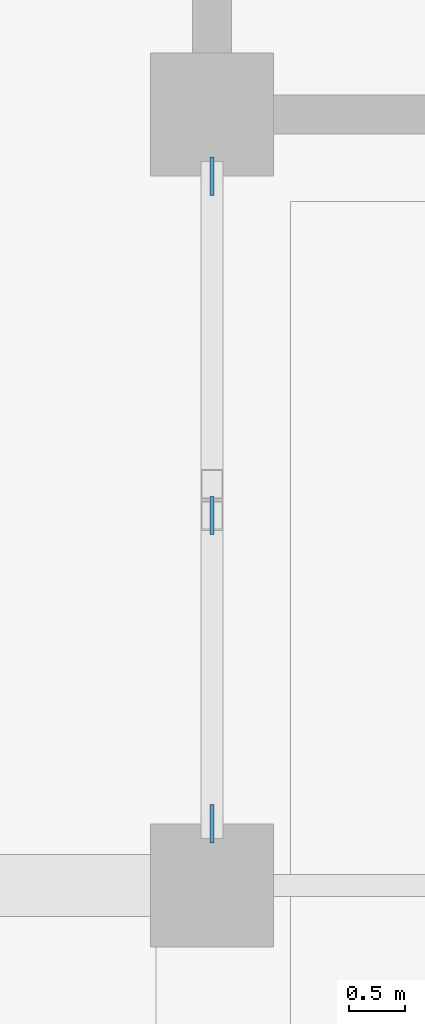
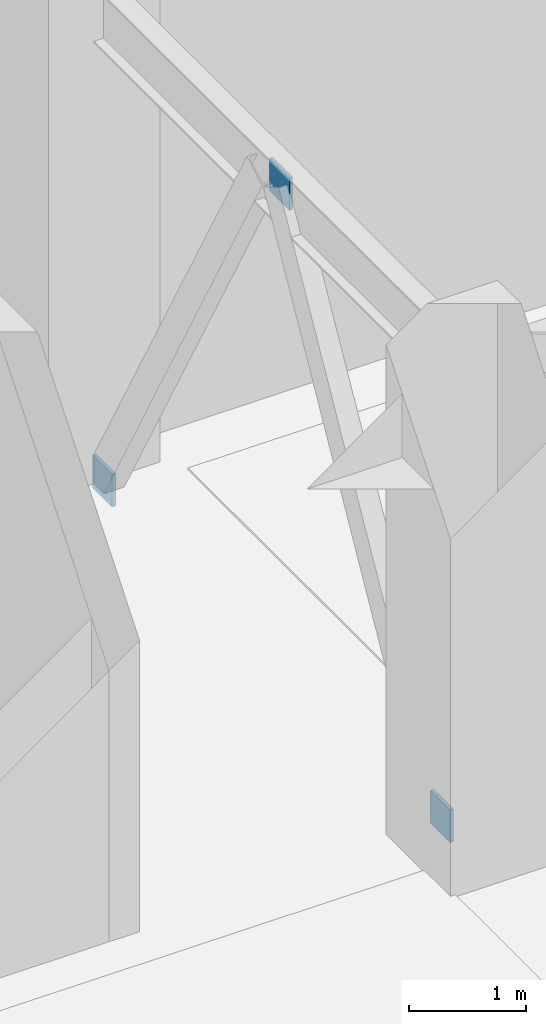
# One storey, part 83 of 117: 3 plates.
"""IFC4 building model written with IfcOpenShell, lengths in metres."""

from ifc_helpers import new_model, si_unit, direction, frame, origin, origin_2d, place, context, subcontext, project, spatial, rectangle, extrude, material, layer, layer_set, type_object, element, save


model = new_model("IFC4")

# Units and contexts
model_context = context("Model", 3, precision=1e-05, world=origin(), true_north=direction((0.0, 1.0)))
body_context = subcontext(model_context, "Body", "Model", "MODEL_VIEW")
ifc_project = project(units=[si_unit("LENGTHUNIT", "METRE"), si_unit("AREAUNIT", "SQUARE_METRE"), si_unit("VOLUMEUNIT", "CUBIC_METRE"), si_unit("PLANEANGLEUNIT", "RADIAN"), si_unit("MASSUNIT", "GRAM", prefix="KILO")], contexts=[model_context])

# Site, building, storey
site_placement = place(None, origin())
site = spatial("IfcSite", under=ifc_project, at=site_placement, CompositionType="ELEMENT")
building_placement = place(site_placement, origin())
building = spatial("IfcBuilding", under=site, at=building_placement, Name="Linyun Crest Stadium", CompositionType="ELEMENT")
storey_placement = place(building_placement, frame((0.0, 0.0, 6.0)))
storey = spatial("IfcBuildingStorey", under=building, at=storey_placement, Name="L02", CompositionType="ELEMENT", Elevation=6.0)

# Plates
ifc_material_1 = material(Name="Steel Q420C", Category="steel")
ifc_layer_1 = layer(ifc_material_1, 0.031982421875)
ifc_layer_set_1 = layer_set([ifc_layer_1], Name="Steel Q420C")
plate_type_1 = type_object("IfcPlateType", Name="EP04", PredefinedType="USERDEFINED", material=ifc_layer_set_1)
plate_placement = place(storey_placement, frame((-84.0, -42.701904296875, 4.759765625), z_axis=(0.0, 0.0, 1.0), x_axis=(0.0, 1.0, 0.0)))
element("IfcPlate", 1, at=plate_placement, inside=storey, type_object=plate_type_1, Name="Hollow section cap end plate EP04 463", ObjectType="END PLATE", PredefinedType="USERDEFINED", context=body_context, shape_type="SweptSolid", body=[
    extrude(rectangle(XDim=0.340087890625, YDim=0.031982421875, at=origin_2d()), origin(), (0.0, 0.0, 1.0), 0.340087890625),
])
ifc_material_2 = material(Name="Steel Q420C", Category="steel")
ifc_layer_2 = layer(ifc_material_2, 0.035888671875)
ifc_layer_set_2 = layer_set([ifc_layer_2], Name="Steel Q420C")
plate_type_2 = type_object("IfcPlateType", Name="NP04", PredefinedType="USERDEFINED", material=ifc_layer_set_2)
for number, where, z_axis, x_axis, name in (
    (2, (-84.0, -45.449951171875, -0.169921875), (0.0, 0.0, 1.0), (0.0, 1.0, 0.0), "Hollow section cap end plate NP04 462"),
    (3, (-84.0, -39.675048828125, -0.169921875), (0.0, 0.0, 1.0), (0.0, 1.0, 0.0), "Hollow section cap end plate NP04 464"),
):
    element("IfcPlate", number, at=place(storey_placement, frame(where, z_axis=z_axis, x_axis=x_axis)), inside=storey, type_object=plate_type_2, Name=name, ObjectType="GUSSET PLATE", PredefinedType="USERDEFINED", context=body_context, shape_type="SweptSolid", body=[
        extrude(rectangle(XDim=0.340087890625, YDim=0.035888671875, at=origin_2d()), origin(), (0.0, 0.0, 1.0), 0.340087890625),
    ])

save(model, "model.ifc")
